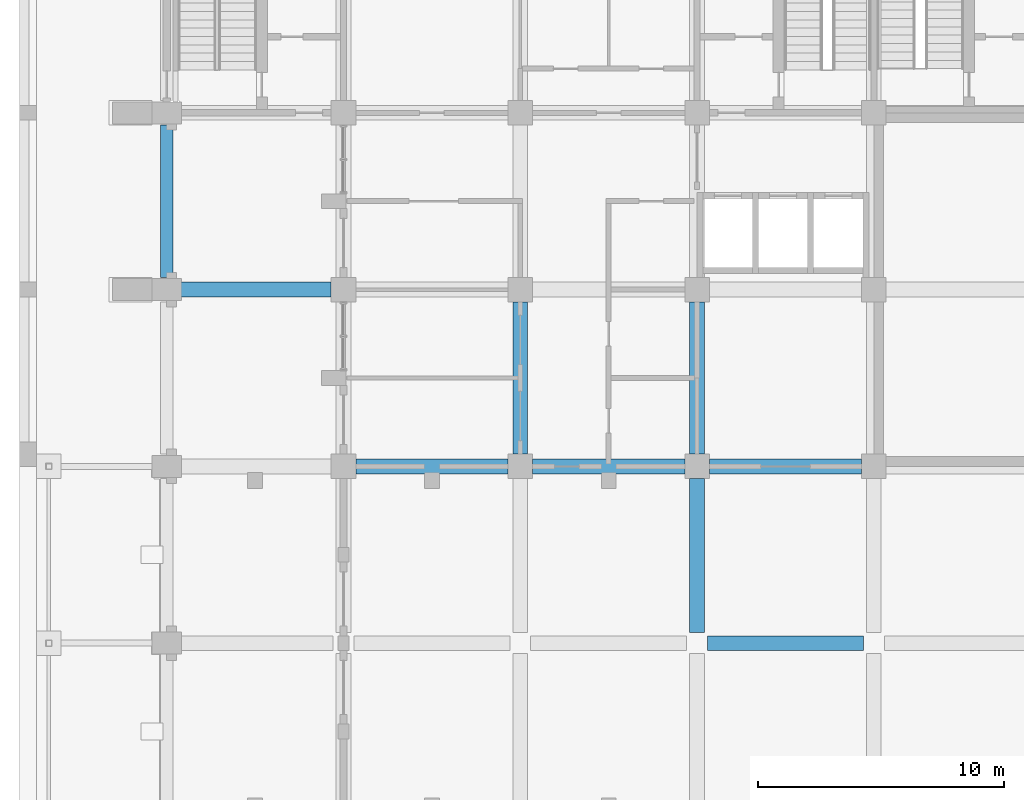
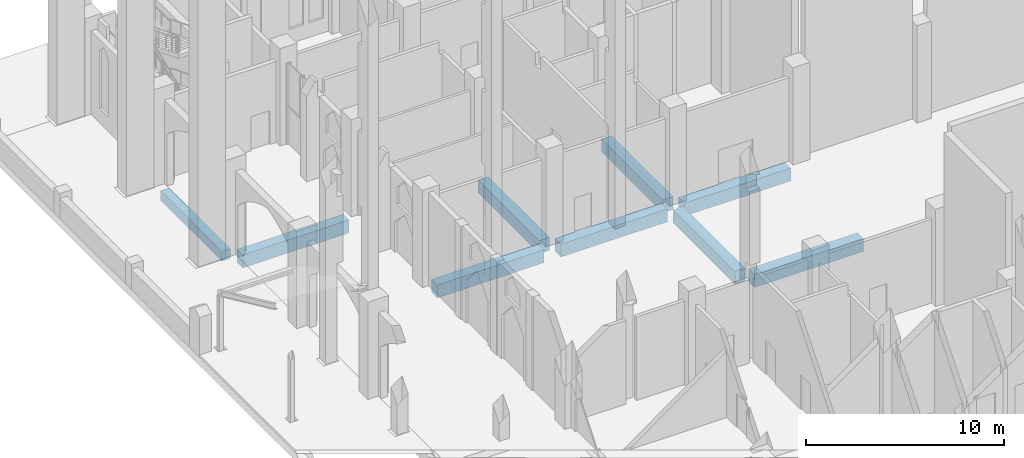
# One storey, part 11 of 50: 9 beams.
"""IFC4 building model written with IfcOpenShell, lengths in metres."""

from ifc_helpers import new_model, si_unit, direction, frame, origin, origin_2d, place, context, subcontext, project, spatial, rectangle, extrude, material, material_profile, profile_set, type_object, element, save


model = new_model("IFC4")

# Units and contexts
model_context = context("Model", 3, precision=1e-05, world=origin(), true_north=direction((0.0, 1.0)))
body_context = subcontext(model_context, "Body", "Model", "MODEL_VIEW")
ifc_project = project(units=[si_unit("LENGTHUNIT", "METRE"), si_unit("AREAUNIT", "SQUARE_METRE"), si_unit("VOLUMEUNIT", "CUBIC_METRE"), si_unit("PLANEANGLEUNIT", "RADIAN"), si_unit("MASSUNIT", "GRAM", prefix="KILO")], contexts=[model_context])

# Site, building, storey
site_placement = place(None, origin())
site = spatial("IfcSite", under=ifc_project, at=site_placement, CompositionType="ELEMENT")
building_placement = place(site_placement, origin())
building = spatial("IfcBuilding", under=site, at=building_placement, Name="Silangan Lancet Faculty of Sciences", CompositionType="ELEMENT")
storey_placement = place(building_placement, origin())
storey = spatial("IfcBuildingStorey", under=building, at=storey_placement, Name="L00", CompositionType="ELEMENT", Elevation=0.0)

# Beams
ifc_material_1 = material(Name="Concrete C40/50", Category="concrete")
ifc_material_profile_1 = material_profile(ifc_material_1, rectangle(XDim=0.5, YDim=0.60009765625, at=origin_2d()), Name="RC 500x600")
ifc_profile_set_1 = profile_set([ifc_material_profile_1], Name="Concrete C40/50")
beam_type_1 = type_object("IfcBeamType", Name="BEAM RC 500x600", PredefinedType="BEAM", material=ifc_profile_set_1)
beam_1_placement = place(storey_placement, frame((0.0, 43.699951171875, -0.60009765625), z_axis=(0.0, 1.0, 0.0), x_axis=(-1.0, 0.0, 0.0)))
element("IfcBeam", 1, at=beam_1_placement, inside=storey, type_object=beam_type_1, Name="BM-L00-1G-1H", PredefinedType="BEAM", context=body_context, shape_type="SweptSolid", body=[
    extrude(rectangle(XDim=0.5, YDim=0.60009765625, at=origin_2d()), origin(), (0.0, 0.0, 1.0), 6.199951171875),
])
ifc_material_2 = material(Name="Concrete C40/50", Category="concrete")
ifc_material_profile_2 = material_profile(ifc_material_2, rectangle(XDim=0.60009765625, YDim=0.800048828125, at=origin_2d()), Name="RC 600x800")
ifc_profile_set_2 = profile_set([ifc_material_profile_2], Name="Concrete C40/50")
beam_type_2 = type_object("IfcBeamType", Name="BEAM RC 600x800", PredefinedType="BEAM", material=ifc_profile_set_2)
beam_2_placement = place(storey_placement, frame((22.02490234375, 28.800048828125, -0.699951171875), z_axis=(1.0, 0.0, 0.0), x_axis=(0.0, 1.0, 0.0)))
element("IfcBeam", 2, at=beam_2_placement, inside=storey, type_object=beam_type_2, Name="BM-L00-4E-5E", PredefinedType="BEAM", context=body_context, shape_type="SweptSolid", body=[
    extrude(rectangle(XDim=0.60009765625, YDim=0.800048828125, at=origin_2d()), origin(), (0.0, 0.0, 1.0), 6.35009765625),
])
beam_3_placement = place(storey_placement, frame((7.699951171875, 36.0, -0.699951171875), z_axis=(1.0, 0.0, 0.0), x_axis=(0.0, 1.0, 0.0)))
element("IfcBeam", 3, at=beam_3_placement, inside=storey, type_object=beam_type_2, Name="BM-L00-2F-3F", PredefinedType="BEAM", context=body_context, shape_type="SweptSolid", body=[
    extrude(rectangle(XDim=0.60009765625, YDim=0.800048828125, at=origin_2d()), origin(), (0.0, 0.0, 1.0), 6.199951171875),
])
beam_4_placement = place(storey_placement, frame((14.89990234375, 36.0, -0.699951171875), z_axis=(1.0, 0.0, 0.0), x_axis=(0.0, 1.0, 0.0)))
element("IfcBeam", 4, at=beam_4_placement, inside=storey, type_object=beam_type_2, Name="BM-L00-3F-4F", PredefinedType="BEAM", context=body_context, shape_type="SweptSolid", body=[
    extrude(rectangle(XDim=0.60009765625, YDim=0.800048828125, at=origin_2d()), origin(), (0.0, 0.0, 1.0), 6.2001953125),
])
for number, where, z_axis, x_axis, name in (
    (5, (22.10009765625, 36.0, -0.699951171875), (1.0, 0.0, 0.0), (0.0, 1.0, 0.0), "BM-L00-4F-5F"),
    (6, (0.5, 43.199951171875, -0.699951171875), (1.0, 0.0, 0.0), (0.0, 1.0, 0.0), "BM-L00-1G-2G"),
    (7, (14.39990234375, 36.5, -0.699951171875), (0.0, 1.0, 0.0), (-1.0, 0.0, 0.0), "BM-L00-3F-3G"),
):
    element("IfcBeam", number, at=place(storey_placement, frame(where, z_axis=z_axis, x_axis=x_axis)), inside=storey, type_object=beam_type_2, Name=name, PredefinedType="BEAM", context=body_context, shape_type="SweptSolid", body=[
        extrude(rectangle(XDim=0.60009765625, YDim=0.800048828125, at=origin_2d()), origin(), (0.0, 0.0, 1.0), 6.199951171875),
    ])
beam_5_placement = place(storey_placement, frame((21.60009765625, 29.22509765625, -0.699951171875), z_axis=(0.0, 1.0, 0.0), x_axis=(-1.0, 0.0, 0.0)))
element("IfcBeam", 8, at=beam_5_placement, inside=storey, type_object=beam_type_2, Name="BM-L00-4E-4F", PredefinedType="BEAM", context=body_context, shape_type="SweptSolid", body=[
    extrude(rectangle(XDim=0.60009765625, YDim=0.800048828125, at=origin_2d()), origin(), (0.0, 0.0, 1.0), 6.27490234375),
])
beam_6_placement = place(storey_placement, frame((21.60009765625, 36.5, -0.699951171875), z_axis=(0.0, 1.0, 0.0), x_axis=(-1.0, 0.0, 0.0)))
element("IfcBeam", 9, at=beam_6_placement, inside=storey, type_object=beam_type_2, Name="BM-L00-4F-4G", PredefinedType="BEAM", context=body_context, shape_type="SweptSolid", body=[
    extrude(rectangle(XDim=0.60009765625, YDim=0.800048828125, at=origin_2d()), origin(), (0.0, 0.0, 1.0), 6.199951171875),
])

save(model, "model.ifc")
